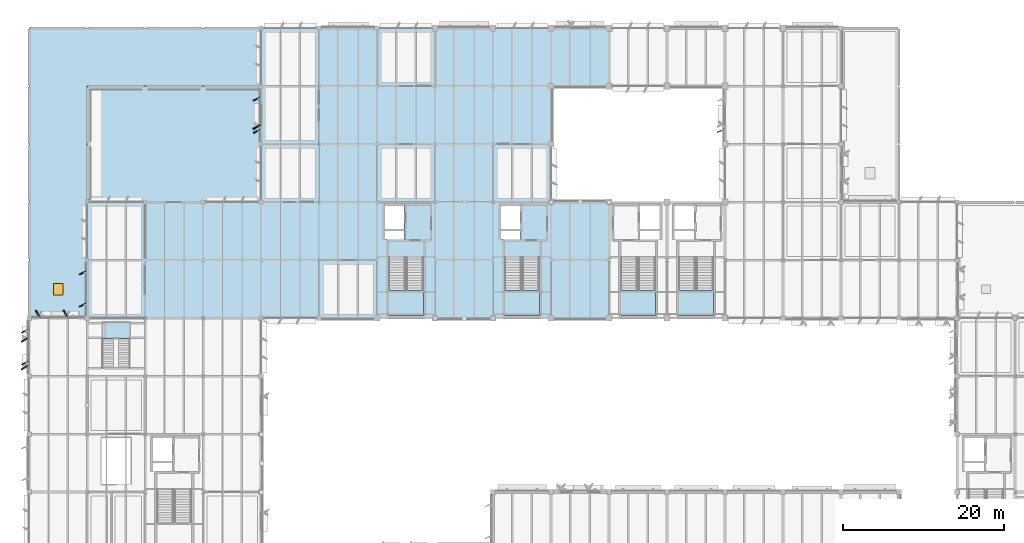
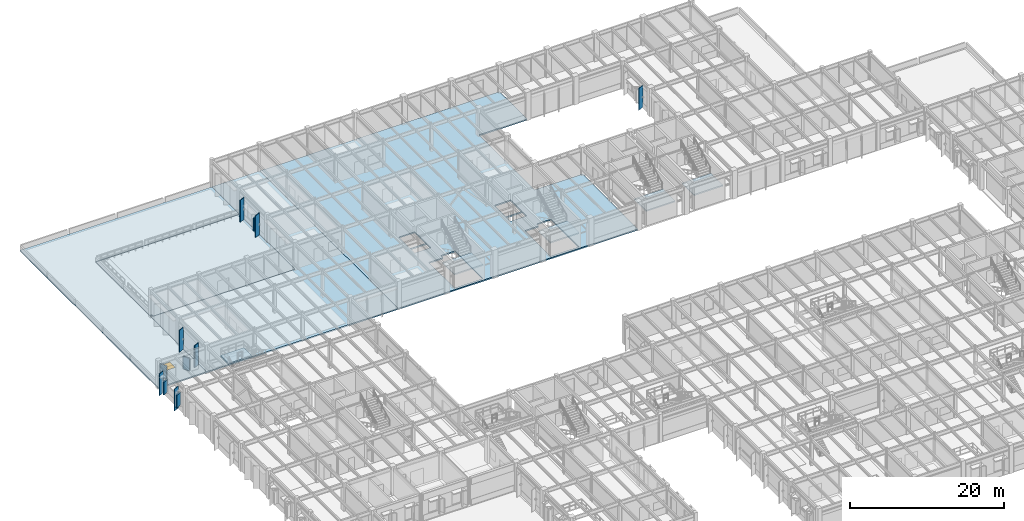
# One storey, part 27 of 92: 12 plates, 9 slabs, 1 door, 1 opening, 5 elements without a shape of their own.
"""IFC4 building model written with IfcOpenShell, lengths in metres."""

from ifc_helpers import new_model, si_unit, direction, frame, origin, origin_2d, place, context, subcontext, project, spatial, polyline, rectangle, outline, extrude, material, layer, layer_set, type_object, element, fill, aggregate, save


model = new_model("IFC4")

# Units and contexts
model_context = context("Model", 3, precision=1e-05, world=origin(), true_north=direction((0.0, 1.0)))
body_context = subcontext(model_context, "Body", "Model", "MODEL_VIEW")
ifc_project = project(units=[si_unit("LENGTHUNIT", "METRE"), si_unit("AREAUNIT", "SQUARE_METRE"), si_unit("VOLUMEUNIT", "CUBIC_METRE"), si_unit("PLANEANGLEUNIT", "RADIAN"), si_unit("MASSUNIT", "GRAM", prefix="KILO")], contexts=[model_context])

# Site, building, storey
site_placement = place(None, origin())
site = spatial("IfcSite", under=ifc_project, at=site_placement, CompositionType="ELEMENT")
building_placement = place(site_placement, origin())
building = spatial("IfcBuilding", under=site, at=building_placement, Name="Sillqori Civic Hall", CompositionType="ELEMENT")
storey_placement = place(building_placement, frame((0.0, 0.0, 5.39990234375)))
storey = spatial("IfcBuildingStorey", under=building, at=storey_placement, Name="L02", CompositionType="ELEMENT", Elevation=5.39990234375)

# Plates
ifc_material_1 = material(Name="Precast concrete C40/50 (H40)", Category="concrete")
ifc_layer_1 = layer(ifc_material_1, 0.159912109375)
ifc_layer_set_1 = layer_set([ifc_layer_1], Name="Precast concrete C40/50 (H40)")
plate_type_1 = type_object("IfcPlateType", Name="FIN-WEST-350", PredefinedType="USERDEFINED", material=ifc_layer_set_1)
for number, where, z_axis, x_axis, name in (
    (1, (6.64501953125, 73.6201171875, 0.14990234375), (0.0, 0.0, 1.0), (-0.422618261741, 0.906307787037, 0.0), "L02 west brise-soleil fin L02-01-10-W.1"),
    (2, (6.64501953125, 77.580078125, 0.14990234375), (0.0, 0.0, 1.0), (-0.422618261741, 0.906307787037, 0.0), "L02 west brise-soleil fin L02-01-10-W.2"),
    (3, (13.8349609375, 80.830078125, 0.14990234375), (0.0, 0.0, 1.0), (-0.422618261741, 0.906307787037, 0.0), "L02 west brise-soleil fin L02-02-11-W.1"),
    (4, (13.8349609375, 84.820068359375, 0.14990234375), (0.0, 0.0, 1.0), (-0.422618261741, 0.906307787037, 0.0), "L02 west brise-soleil fin L02-02-11-W.2"),
    (5, (35.43505859375, 102.389892578125, 0.14990234375), (0.0, 0.0, 1.0), (-0.422618261741, 0.906307787037, 0.0), "L02 west brise-soleil fin L02-05-14-W.1"),
    (6, (35.43505859375, 106.409912109375, 0.14990234375), (0.0, 0.0, 1.0), (-0.422618261741, 0.906307787037, 0.0), "L02 west brise-soleil fin L02-05-14-W.2"),
    (7, (93.034912109375, 102.465087890625, 0.14990234375), (0.0, 0.0, 1.0), (-0.422618261741, 0.906307787037, 0.0), "L02 west brise-soleil fin L02-13-14-W.1"),
):
    element("IfcPlate", number, at=place(storey_placement, frame(where, z_axis=z_axis, x_axis=x_axis)), inside=storey, type_object=plate_type_1, Name=name, ObjectType="SOLAR_FIN", PredefinedType="USERDEFINED", context=body_context, shape_type="SweptSolid", body=[
        extrude(rectangle(XDim=0.090087890625, YDim=0.8798828125, at=origin_2d()), origin(), (0.0, 0.0, 1.0), 3.467041015625),
    ])
ifc_layer_2 = layer(ifc_material_1, 0.159912109375)
ifc_layer_set_2 = layer_set([ifc_layer_2], Name="Precast concrete C40/50 (H40)")
plate_type_2 = type_object("IfcPlateType", Name="REV-SAW-200", PredefinedType="USERDEFINED", material=ifc_layer_set_2)
for number, where, z_axis, x_axis, name in (
    (8, (8.27392578125, 79.75, 0.9501953125), (0.0, 0.0, 1.0), (0.866025403784, 0.5, 0.0), "Sawtooth stone window reveal L02-01-10-N.1"),
    (9, (11.7060546875, 79.75, 0.9501953125), (0.0, 0.0, 1.0), (0.866025403784, 0.5, 0.0), "Sawtooth stone window reveal L02-01-10-N.2"),
    (10, (6.64990234375, 73.073974609375, 0.9501953125), (0.0, 0.0, 1.0), (-0.5, 0.866025403784, 0.0), "Sawtooth stone window reveal L02-01-10-W.1"),
    (11, (6.64990234375, 76.506103515625, 0.9501953125), (0.0, 0.0, 1.0), (-0.5, 0.866025403784, 0.0), "Sawtooth stone window reveal L02-01-10-W.2"),
    (12, (35.43994140625, 102.93994140625, 0.900146484375), (0.0, 0.0, 1.0), (-0.5, 0.866025403784, 0.0), "Sawtooth stone window reveal L02-05-14-W.1"),
):
    element("IfcPlate", number, at=place(storey_placement, frame(where, z_axis=z_axis, x_axis=x_axis)), inside=storey, type_object=plate_type_2, Name=name, ObjectType="REVEAL_PANEL", PredefinedType="USERDEFINED", context=body_context, shape_type="SweptSolid", body=[
        extrude(rectangle(XDim=0.159912109375, YDim=0.97998046875, at=origin_2d()), origin(), (0.0, 0.0, 1.0), 2.0),
    ])

# Slabs
ifc_material_2 = material(Name="Concrete C30/37 (H30)", Category="concrete")
ifc_layer_3 = layer(ifc_material_2, 0.199951171875)
ifc_layer_set_3 = layer_set([ifc_layer_3], Name="Concrete C30/37 (H30)")
slab_type_1 = type_object("IfcSlabType", Name="SLB-FLR-200", PredefinedType="FLOOR", material=ifc_layer_set_3)
slab_1_placement = place(storey_placement, frame((0.0, 0.0, -0.199951171875)))
element("IfcSlab", 13, at=slab_1_placement, inside=storey, type_object=slab_type_1, Name="L02 V4 composite floor slab 0.1", PredefinedType="FLOOR", context=body_context, shape_type="SweptSolid", body=[
    extrude(outline(polyline([(21.60009765625, 93.60009765625), (28.800048828125, 93.60009765625), (36.0, 93.60009765625), (36.0, 100.800048828125), (36.0, 108.0), (36.0, 115.199951171875), (43.199951171875, 115.199951171875), (43.199951171875, 108.0), (43.199951171875, 100.800048828125), (43.199951171875, 93.60009765625), (43.199951171875, 86.39990234375), (43.199951171875, 79.199951171875), (36.0, 79.199951171875), (28.800048828125, 79.199951171875), (21.60009765625, 79.199951171875), (14.39990234375, 79.199951171875), (14.39990234375, 86.39990234375), (14.39990234375, 93.60009765625), (21.60009765625, 93.60009765625)])), origin(), (0.0, 0.0, 1.0), 0.199951171875),
])
slab_2_placement = place(storey_placement, frame((0.0, 0.0, -0.199951171875)))
element("IfcSlab", 14, at=slab_2_placement, inside=storey, type_object=slab_type_1, Name="L02 V4 composite floor slab 1.1", PredefinedType="FLOOR", context=body_context, shape_type="SweptSolid", body=[
    extrude(outline(polyline([(43.199951171875, 108.0), (43.199951171875, 115.199951171875), (50.39990234375, 115.199951171875), (57.60009765625, 115.199951171875), (64.800048828125, 115.199951171875), (72.0, 115.199951171875), (79.199951171875, 115.199951171875), (79.199951171875, 108.0), (72.0, 108.0), (72.0, 100.800048828125), (72.0, 93.60009765625), (79.199951171875, 93.60009765625), (79.199951171875, 86.39990234375), (79.199951171875, 79.199951171875), (72.0, 79.199951171875), (64.800048828125, 79.199951171875), (57.60009765625, 79.199951171875), (50.39990234375, 79.199951171875), (43.199951171875, 79.199951171875), (43.199951171875, 86.39990234375), (43.199951171875, 93.60009765625), (43.199951171875, 100.800048828125), (43.199951171875, 108.0)]), holes=[polyline([(53.9599609375, 86.219970703125), (51.860107421875, 86.219970703125), (51.860107421875, 79.550048828125), (56.139892578125, 79.550048828125), (56.139892578125, 86.77001953125), (53.9599609375, 86.77001953125), (53.9599609375, 86.219970703125)]), polyline([(68.360107421875, 86.219970703125), (66.260009765625, 86.219970703125), (66.260009765625, 79.550048828125), (70.5400390625, 79.550048828125), (70.5400390625, 86.77001953125), (68.360107421875, 86.77001953125), (68.360107421875, 86.219970703125)]), polyline([(53.75, 89.0), (53.75, 90.10009765625), (51.35009765625, 90.10009765625), (51.35009765625, 89.0), (53.75, 89.0)]), polyline([(68.14990234375, 89.0), (68.14990234375, 90.10009765625), (65.75, 90.10009765625), (65.75, 89.0), (68.14990234375, 89.0)]), polyline([(53.75, 90.25), (53.75, 93.14990234375), (51.35009765625, 93.14990234375), (51.35009765625, 90.25), (53.75, 90.25)]), polyline([(68.14990234375, 90.25), (68.14990234375, 93.14990234375), (65.75, 93.14990234375), (65.75, 90.25), (68.14990234375, 90.25)])]), origin(), (0.0, 0.0, 1.0), 0.199951171875),
])

# Stair, slab
ifc_material_3 = material(Name="Concrete C35/45 (H35)", Category="concrete")
stair_type_1 = type_object("IfcStairType", Name="STR-CORE-05", PredefinedType="DOUBLE_RETURN_STAIR", material=ifc_material_3)
stair_1_placement = place(storey_placement, origin())
stair_1 = element("IfcStair", 15, at=stair_1_placement, inside=storey, type_object=stair_type_1, Name="L02 Core exit stair ST-05", PredefinedType="DOUBLE_RETURN_STAIR")
ifc_layer_4 = layer(ifc_material_3, 0.199951171875)
ifc_layer_set_4 = layer_set([ifc_layer_4], Name="Concrete C35/45 (H35)")
slab_type_2 = type_object("IfcSlabType", Name="SLB-LND-220", PredefinedType="LANDING", material=ifc_layer_set_4)
slab_3_placement = place(storey_placement, frame((0.0, 0.0, 2.050048828125)))
slab_3 = element("IfcSlab", 16, at=slab_3_placement, type_object=slab_type_2, Name="ST-05 landing 1", PredefinedType="LANDING", context=body_context, shape_type="SweptSolid", body=[
    extrude(outline(polyline([(51.824951171875, 82.610107421875), (51.824951171875, 79.514892578125), (56.175048828125, 79.514892578125), (56.175048828125, 82.610107421875), (51.824951171875, 82.610107421875)])), origin(), (0.0, 0.0, 1.0), 0.199951171875),
])
aggregate(stair_1, [slab_3])

stair_type_2 = type_object("IfcStairType", Name="STR-CORE-06", PredefinedType="DOUBLE_RETURN_STAIR", material=ifc_material_3)
stair_2_placement = place(storey_placement, origin())
stair_2 = element("IfcStair", 17, at=stair_2_placement, inside=storey, type_object=stair_type_2, Name="L02 Core exit stair ST-06", PredefinedType="DOUBLE_RETURN_STAIR")
slab_4_placement = place(storey_placement, frame((0.0, 0.0, 2.050048828125)))
slab_4 = element("IfcSlab", 18, at=slab_4_placement, type_object=slab_type_2, Name="ST-06 landing 1", PredefinedType="LANDING", context=body_context, shape_type="SweptSolid", body=[
    extrude(outline(polyline([(66.22509765625, 82.610107421875), (66.22509765625, 79.514892578125), (70.574951171875, 79.514892578125), (70.574951171875, 82.610107421875), (66.22509765625, 82.610107421875)])), origin(), (0.0, 0.0, 1.0), 0.199951171875),
])
aggregate(stair_2, [slab_4])

stair_type_3 = type_object("IfcStairType", Name="STR-CORE-07", PredefinedType="DOUBLE_RETURN_STAIR", material=ifc_material_3)
stair_3_placement = place(storey_placement, origin())
stair_3 = element("IfcStair", 19, at=stair_3_placement, inside=storey, type_object=stair_type_3, Name="L02 Core exit stair ST-07", PredefinedType="DOUBLE_RETURN_STAIR")
slab_5_placement = place(storey_placement, frame((0.0, 0.0, 2.050048828125)))
slab_5 = element("IfcSlab", 20, at=slab_5_placement, type_object=slab_type_2, Name="ST-07 landing 1", PredefinedType="LANDING", context=body_context, shape_type="SweptSolid", body=[
    extrude(outline(polyline([(80.625, 82.610107421875), (80.625, 79.514892578125), (84.97509765625, 79.514892578125), (84.97509765625, 82.610107421875), (80.625, 82.610107421875)])), origin(), (0.0, 0.0, 1.0), 0.199951171875),
])
aggregate(stair_3, [slab_5])

stair_type_4 = type_object("IfcStairType", Name="STR-CORE-08", PredefinedType="DOUBLE_RETURN_STAIR", material=ifc_material_3)
stair_4_placement = place(storey_placement, origin())
stair_4 = element("IfcStair", 21, at=stair_4_placement, inside=storey, type_object=stair_type_4, Name="L02 Core exit stair ST-08", PredefinedType="DOUBLE_RETURN_STAIR")
slab_6_placement = place(storey_placement, frame((0.0, 0.0, 2.050048828125)))
slab_6 = element("IfcSlab", 22, at=slab_6_placement, type_object=slab_type_2, Name="ST-08 landing 1", PredefinedType="LANDING", context=body_context, shape_type="SweptSolid", body=[
    extrude(outline(polyline([(87.824951171875, 82.610107421875), (87.824951171875, 79.514892578125), (92.175048828125, 79.514892578125), (92.175048828125, 82.610107421875), (87.824951171875, 82.610107421875)])), origin(), (0.0, 0.0, 1.0), 0.199951171875),
])
aggregate(stair_4, [slab_6])

ifc_material_4 = material(Name="Steel ASTM A992 and Honed Limestone Treads", Category="masonry")
stair_type_5 = type_object("IfcStairType", Name="STR-MON-450", PredefinedType="STRAIGHT_RUN_STAIR", material=ifc_material_4)
stair_5_placement = place(storey_placement, origin())
stair_5 = element("IfcStair", 23, at=stair_5_placement, inside=storey, type_object=stair_type_5, Name="West Committee Upper Stair L02-L03", PredefinedType="STRAIGHT_RUN_STAIR")
ifc_layer_5 = layer(ifc_material_3, 0.199951171875)
ifc_layer_set_5 = layer_set([ifc_layer_5], Name="Concrete C35/45 (H35)")
slab_type_3 = type_object("IfcSlabType", Name="SLB-MLND-200", PredefinedType="LANDING", material=ifc_layer_set_5)
slab_7_placement = place(storey_placement, frame((0.0, 0.0, 2.050048828125)))
slab_7 = element("IfcSlab", 24, at=slab_7_placement, type_object=slab_type_3, Name="MS-14 landing 1", PredefinedType="LANDING", context=body_context, shape_type="SweptSolid", body=[
    extrude(outline(polyline([(16.239990234375, 76.639892578125), (19.760009765625, 76.639892578125), (19.760009765625, 78.72998046875), (16.239990234375, 78.72998046875), (16.239990234375, 76.639892578125)])), origin(), (0.0, 0.0, 1.0), 0.199951171875),
])
aggregate(stair_5, [slab_7])

# Slab, opening, door
ifc_layer_6 = layer(ifc_material_2, 0.199951171875)
ifc_layer_set_6 = layer_set([ifc_layer_6], Name="Concrete C30/37 (H30)")
slab_type_4 = type_object("IfcSlabType", Name="SLB-ROOF-200", PredefinedType="ROOF", material=ifc_layer_set_6)
slab_8_placement = place(storey_placement, frame((0.0, 0.0, -0.199951171875)))
slab_8 = element("IfcSlab", 25, at=slab_8_placement, inside=storey, type_object=slab_type_4, Name="L02 flat structural roof over L01 2", PredefinedType="ROOF", context=body_context, shape_type="SweptSolid", body=[
    extrude(outline(polyline([(7.199951171875, 93.60009765625), (7.199951171875, 100.800048828125), (7.199951171875, 108.0), (7.199951171875, 115.199951171875), (14.39990234375, 115.199951171875), (21.60009765625, 115.199951171875), (28.800048828125, 115.199951171875), (36.0, 115.199951171875), (36.0, 108.0), (28.800048828125, 108.0), (21.60009765625, 108.0), (14.39990234375, 108.0), (14.39990234375, 100.800048828125), (14.39990234375, 93.60009765625), (14.39990234375, 86.39990234375), (14.39990234375, 79.199951171875), (7.199951171875, 79.199951171875), (7.199951171875, 86.39990234375), (7.199951171875, 93.60009765625)]), holes=[polyline([(10.199951171875, 82.10009765625), (10.199951171875, 83.5), (11.39990234375, 83.5), (11.39990234375, 82.10009765625), (10.199951171875, 82.10009765625)])]), origin(), (0.0, 0.0, 1.0), 0.199951171875),
])
opening_placement = place(slab_8_placement, frame((10.800048828125, 82.800048828125, 0.0)))
opening = element("IfcOpeningElement", 26, at=opening_placement, cuts=slab_8, Name="Opening TH-02", PredefinedType="OPENING", context=body_context, shape_type="SweptSolid", body=[
    extrude(rectangle(XDim=1.199951171875, YDim=1.39990234375, at=origin_2d()), frame((0.0, 0.0, -0.010009765625)), (0.0, 0.0, 1.0), 0.219970703125),
])
ifc_material_5 = material(Name="Galvanized Insulated Steel", Category="steel")
door_type = type_object("IfcDoorType", Name="TRP-ROOF-120X140", OperationType="NOTDEFINED", PredefinedType="TRAPDOOR", material=ifc_material_5)
door_placement = place(opening_placement, frame((0.0, 0.0, 0.14990234375)))
door = element("IfcDoor", 27, at=door_placement, inside=storey, type_object=door_type, Name="L02 maintenance roof access hatch 02", OperationType="SINGLE_SWING_LEFT", OverallHeight=1.39990234375, OverallWidth=1.199951171875, PredefinedType="TRAPDOOR", context=body_context, shape_type="SweptSolid", body=[
    extrude(rectangle(XDim=1.199951171875, YDim=1.39990234375, at=origin_2d()), origin(), (0.0, 0.0, 1.0), 0.050048828125),
])
fill(opening, door)

# Slab
ifc_layer_7 = layer(ifc_material_3, 0.199951171875)
ifc_layer_set_7 = layer_set([ifc_layer_7], Name="Concrete C35/45 (H35)")
slab_type_5 = type_object("IfcSlabType", Name="SLB-TER-200", PredefinedType="FLOOR", material=ifc_layer_set_7)
slab_9_placement = place(storey_placement, frame((0.0, 0.0, -0.199951171875)))
element("IfcSlab", 28, at=slab_9_placement, inside=storey, type_object=slab_type_5, Name="North-West Piedmont Planted Terrace", PredefinedType="FLOOR", context=body_context, shape_type="SweptSolid", body=[
    extrude(outline(polyline([(14.39990234375, 108.0), (36.0, 108.0), (36.0, 93.60009765625), (14.75, 93.60009765625), (14.75, 93.949951171875), (14.39990234375, 93.949951171875), (14.39990234375, 108.0)])), origin(), (0.0, 0.0, 1.0), 0.199951171875),
])

save(model, "model.ifc")
